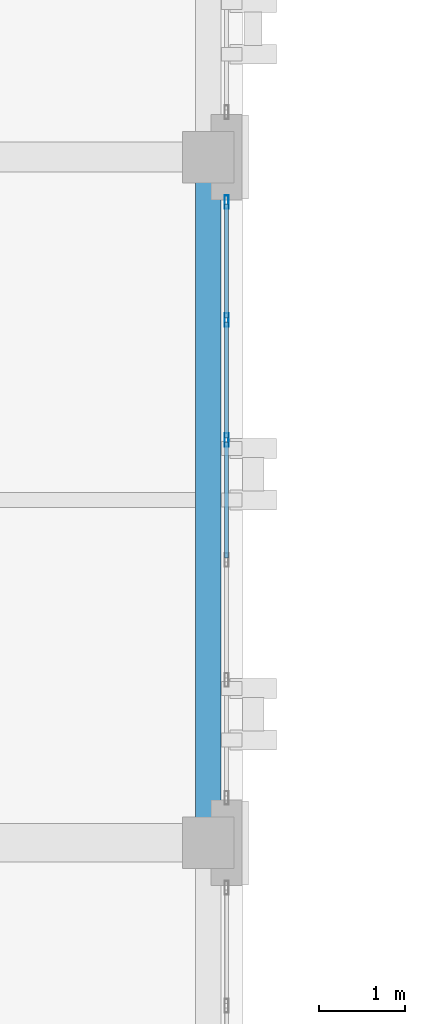
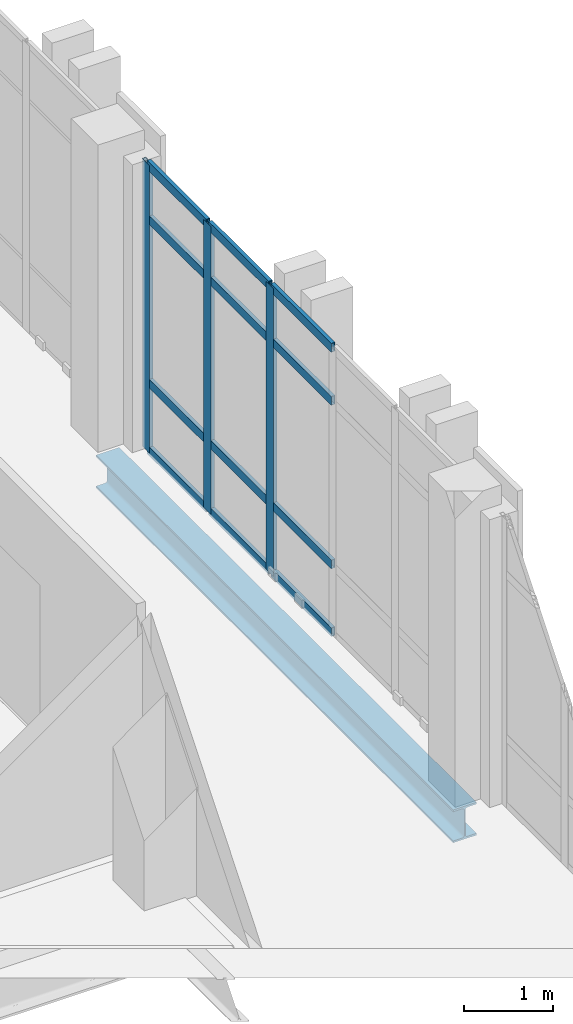
# One storey, part 16 of 77: 15 members, 1 beam, 1 element without a shape of its own.
"""IFC4 building model written with IfcOpenShell, lengths in metres."""

from ifc_helpers import new_model, si_unit, direction, frame, origin, origin_2d, place, context, subcontext, project, spatial, hollow_rectangle, i_section, extrude, material, layer, layer_set, material_profile, profile_set, type_object, element, aggregate, save


model = new_model("IFC4")

# Units and contexts
model_context = context("Model", 3, precision=1e-05, world=origin(), true_north=direction((0.0, 1.0)))
body_context = subcontext(model_context, "Body", "Model", "MODEL_VIEW")
ifc_project = project(units=[si_unit("LENGTHUNIT", "METRE"), si_unit("AREAUNIT", "SQUARE_METRE"), si_unit("VOLUMEUNIT", "CUBIC_METRE"), si_unit("PLANEANGLEUNIT", "RADIAN"), si_unit("MASSUNIT", "GRAM", prefix="KILO")], contexts=[model_context])

# Site, building, storey
site_placement = place(None, origin())
site = spatial("IfcSite", under=ifc_project, at=site_placement, CompositionType="ELEMENT")
building_placement = place(site_placement, origin())
building = spatial("IfcBuilding", under=site, at=building_placement, Name="Qalavern Law Courts", CompositionType="ELEMENT")
storey_placement = place(building_placement, frame((0.0, 0.0, 27.0)))
storey = spatial("IfcBuildingStorey", under=building, at=storey_placement, Name="L06", CompositionType="ELEMENT", Elevation=27.0)

# Curtain wall, members
ifc_material_1 = material(Name="Anodised aluminium and insulated glazing", Category="aluminium")
ifc_layer = layer(ifc_material_1, 0.159912109375)
ifc_layer_set = layer_set([ifc_layer], Name="Anodised aluminium and insulated glazing")
curtain_wall_type = type_object("IfcCurtainWallType", Name="ENV-CW-CHAMB", PredefinedType="USERDEFINED", material=ifc_layer_set)
curtain_wall_placement = place(storey_placement, origin())
curtain_wall = element("IfcCurtainWall", 1, at=curtain_wall_placement, inside=storey, type_object=curtain_wall_type, Name="V3 unitised curtain wall L06 east 4", ObjectType="UNITISED CURTAIN WALL", PredefinedType="USERDEFINED")
ifc_material_2 = material(Name="Anodised aluminium", Category="aluminium")
ifc_material_profile_1 = material_profile(ifc_material_2, hollow_rectangle(XDim=0.048095703125, YDim=0.159912109375, WallThickness=0.00390625, at=origin_2d()), Name="ALU MULLION 48x160")
ifc_profile_set_1 = profile_set([ifc_material_profile_1], Name="Anodised aluminium")
member_type_1 = type_object("IfcMemberType", Name="ENV-CWM-48x160", PredefinedType="MULLION", material=ifc_profile_set_1)
member_1_placement = place(storey_placement, frame((18.614990234375, 70.10009765625, 0.0), z_axis=(0.0, 0.0, 1.0), x_axis=(-1.0, 0.0, 0.0)))
member_1 = element("IfcMember", 2, at=member_1_placement, type_object=member_type_1, Name="CW-04 mullion 4", PredefinedType="MULLION", context=body_context, shape_type="SweptSolid", body=[
    extrude(hollow_rectangle(XDim=0.048095703125, YDim=0.159912109375, WallThickness=0.00390625, at=origin_2d()), origin(), (0.0, 0.0, 1.0), 3.93505859375),
])
member_2_placement = place(storey_placement, frame((18.614990234375, 71.5, 0.0), z_axis=(0.0, 0.0, 1.0), x_axis=(-1.0, 0.0, 0.0)))
member_2 = element("IfcMember", 3, at=member_2_placement, type_object=member_type_1, Name="CW-04 mullion 5", PredefinedType="MULLION", context=body_context, shape_type="SweptSolid", body=[
    extrude(hollow_rectangle(XDim=0.048095703125, YDim=0.159912109375, WallThickness=0.00390625, at=origin_2d()), origin(), (0.0, 0.0, 1.0), 3.93505859375),
])
member_3_placement = place(storey_placement, frame((18.614990234375, 72.8759765625, 0.0), z_axis=(0.0, 0.0, 1.0), x_axis=(-1.0, 0.0, 0.0)))
member_3 = element("IfcMember", 4, at=member_3_placement, type_object=member_type_1, Name="CW-04 mullion 6", PredefinedType="MULLION", context=body_context, shape_type="SweptSolid", body=[
    extrude(hollow_rectangle(XDim=0.048095703125, YDim=0.159912109375, WallThickness=0.00390625, at=origin_2d()), origin(), (0.0, 0.0, 1.0), 3.93505859375),
])
ifc_material_profile_2 = material_profile(ifc_material_2, hollow_rectangle(XDim=0.048095703125, YDim=0.1201171875, WallThickness=0.00390625, at=origin_2d()), Name="ALU TRANSOM 48x120")
ifc_profile_set_2 = profile_set([ifc_material_profile_2], Name="Anodised aluminium")
member_type_2 = type_object("IfcMemberType", Name="ENV-CWT-48x120", PredefinedType="USERDEFINED", material=ifc_profile_set_2)
member_4_placement = place(storey_placement, frame((18.614990234375, 68.72412109375, 0.02392578125), z_axis=(0.0, 1.0, 0.0), x_axis=(-1.0, 0.0, 0.0)))
member_4 = element("IfcMember", 5, at=member_4_placement, type_object=member_type_2, Name="CW-04 transom 3.1", ObjectType="TRANSOM", PredefinedType="USERDEFINED", context=body_context, shape_type="SweptSolid", body=[
    extrude(hollow_rectangle(XDim=0.048095703125, YDim=0.1201171875, WallThickness=0.00390625, at=origin_2d()), origin(), (0.0, 0.0, 1.0), 1.351806640625),
])
member_5_placement = place(storey_placement, frame((18.614990234375, 68.72412109375, 0.949951171875), z_axis=(0.0, 1.0, 0.0), x_axis=(-1.0, 0.0, 0.0)))
member_5 = element("IfcMember", 6, at=member_5_placement, type_object=member_type_2, Name="CW-04 transom 3.2", ObjectType="TRANSOM", PredefinedType="USERDEFINED", context=body_context, shape_type="SweptSolid", body=[
    extrude(hollow_rectangle(XDim=0.048095703125, YDim=0.1201171875, WallThickness=0.00390625, at=origin_2d()), origin(), (0.0, 0.0, 1.0), 1.351806640625),
])
member_6_placement = place(storey_placement, frame((18.614990234375, 68.72412109375, 3.18505859375), z_axis=(0.0, 1.0, 0.0), x_axis=(-1.0, 0.0, 0.0)))
member_6 = element("IfcMember", 7, at=member_6_placement, type_object=member_type_2, Name="CW-04 transom 3.3", ObjectType="TRANSOM", PredefinedType="USERDEFINED", context=body_context, shape_type="SweptSolid", body=[
    extrude(hollow_rectangle(XDim=0.048095703125, YDim=0.1201171875, WallThickness=0.00390625, at=origin_2d()), origin(), (0.0, 0.0, 1.0), 1.351806640625),
])
member_7_placement = place(storey_placement, frame((18.614990234375, 68.72412109375, 3.910888671875), z_axis=(0.0, 1.0, 0.0), x_axis=(-1.0, 0.0, 0.0)))
member_7 = element("IfcMember", 8, at=member_7_placement, type_object=member_type_2, Name="CW-04 transom 3.4", ObjectType="TRANSOM", PredefinedType="USERDEFINED", context=body_context, shape_type="SweptSolid", body=[
    extrude(hollow_rectangle(XDim=0.048095703125, YDim=0.1201171875, WallThickness=0.00390625, at=origin_2d()), origin(), (0.0, 0.0, 1.0), 1.351806640625),
])
member_8_placement = place(storey_placement, frame((18.614990234375, 70.1240234375, 0.02392578125), z_axis=(0.0, 1.0, 0.0), x_axis=(-1.0, 0.0, 0.0)))
member_8 = element("IfcMember", 9, at=member_8_placement, type_object=member_type_2, Name="CW-04 transom 4.1", ObjectType="TRANSOM", PredefinedType="USERDEFINED", context=body_context, shape_type="SweptSolid", body=[
    extrude(hollow_rectangle(XDim=0.048095703125, YDim=0.1201171875, WallThickness=0.00390625, at=origin_2d()), origin(), (0.0, 0.0, 1.0), 1.35205078125),
])
member_9_placement = place(storey_placement, frame((18.614990234375, 70.1240234375, 0.949951171875), z_axis=(0.0, 1.0, 0.0), x_axis=(-1.0, 0.0, 0.0)))
member_9 = element("IfcMember", 10, at=member_9_placement, type_object=member_type_2, Name="CW-04 transom 4.2", ObjectType="TRANSOM", PredefinedType="USERDEFINED", context=body_context, shape_type="SweptSolid", body=[
    extrude(hollow_rectangle(XDim=0.048095703125, YDim=0.1201171875, WallThickness=0.00390625, at=origin_2d()), origin(), (0.0, 0.0, 1.0), 1.35205078125),
])
member_10_placement = place(storey_placement, frame((18.614990234375, 70.1240234375, 3.18505859375), z_axis=(0.0, 1.0, 0.0), x_axis=(-1.0, 0.0, 0.0)))
member_10 = element("IfcMember", 11, at=member_10_placement, type_object=member_type_2, Name="CW-04 transom 4.3", ObjectType="TRANSOM", PredefinedType="USERDEFINED", context=body_context, shape_type="SweptSolid", body=[
    extrude(hollow_rectangle(XDim=0.048095703125, YDim=0.1201171875, WallThickness=0.00390625, at=origin_2d()), origin(), (0.0, 0.0, 1.0), 1.35205078125),
])
member_11_placement = place(storey_placement, frame((18.614990234375, 70.1240234375, 3.910888671875), z_axis=(0.0, 1.0, 0.0), x_axis=(-1.0, 0.0, 0.0)))
member_11 = element("IfcMember", 12, at=member_11_placement, type_object=member_type_2, Name="CW-04 transom 4.4", ObjectType="TRANSOM", PredefinedType="USERDEFINED", context=body_context, shape_type="SweptSolid", body=[
    extrude(hollow_rectangle(XDim=0.048095703125, YDim=0.1201171875, WallThickness=0.00390625, at=origin_2d()), origin(), (0.0, 0.0, 1.0), 1.35205078125),
])
member_12_placement = place(storey_placement, frame((18.614990234375, 71.52392578125, 0.02392578125), z_axis=(0.0, 1.0, 0.0), x_axis=(-1.0, 0.0, 0.0)))
member_12 = element("IfcMember", 13, at=member_12_placement, type_object=member_type_2, Name="CW-04 transom 5.1", ObjectType="TRANSOM", PredefinedType="USERDEFINED", context=body_context, shape_type="SweptSolid", body=[
    extrude(hollow_rectangle(XDim=0.048095703125, YDim=0.1201171875, WallThickness=0.00390625, at=origin_2d()), origin(), (0.0, 0.0, 1.0), 1.328125),
])
member_13_placement = place(storey_placement, frame((18.614990234375, 71.52392578125, 0.949951171875), z_axis=(0.0, 1.0, 0.0), x_axis=(-1.0, 0.0, 0.0)))
member_13 = element("IfcMember", 14, at=member_13_placement, type_object=member_type_2, Name="CW-04 transom 5.2", ObjectType="TRANSOM", PredefinedType="USERDEFINED", context=body_context, shape_type="SweptSolid", body=[
    extrude(hollow_rectangle(XDim=0.048095703125, YDim=0.1201171875, WallThickness=0.00390625, at=origin_2d()), origin(), (0.0, 0.0, 1.0), 1.328125),
])
member_14_placement = place(storey_placement, frame((18.614990234375, 71.52392578125, 3.18505859375), z_axis=(0.0, 1.0, 0.0), x_axis=(-1.0, 0.0, 0.0)))
member_14 = element("IfcMember", 15, at=member_14_placement, type_object=member_type_2, Name="CW-04 transom 5.3", ObjectType="TRANSOM", PredefinedType="USERDEFINED", context=body_context, shape_type="SweptSolid", body=[
    extrude(hollow_rectangle(XDim=0.048095703125, YDim=0.1201171875, WallThickness=0.00390625, at=origin_2d()), origin(), (0.0, 0.0, 1.0), 1.328125),
])
member_15_placement = place(storey_placement, frame((18.614990234375, 71.52392578125, 3.910888671875), z_axis=(0.0, 1.0, 0.0), x_axis=(-1.0, 0.0, 0.0)))
member_15 = element("IfcMember", 16, at=member_15_placement, type_object=member_type_2, Name="CW-04 transom 5.4", ObjectType="TRANSOM", PredefinedType="USERDEFINED", context=body_context, shape_type="SweptSolid", body=[
    extrude(hollow_rectangle(XDim=0.048095703125, YDim=0.1201171875, WallThickness=0.00390625, at=origin_2d()), origin(), (0.0, 0.0, 1.0), 1.328125),
])
aggregate(curtain_wall, [member_1, member_2, member_3, member_4, member_5, member_6, member_7, member_8, member_9, member_10, member_11, member_12, member_13, member_14, member_15])

# Beam
ifc_material_3 = material(Name="Steel S355", Category="steel")
ifc_material_profile_3 = material_profile(ifc_material_3, i_section(OverallWidth=0.300048828125, OverallDepth=0.449951171875, WebThickness=0.013916015625, FlangeThickness=0.02587890625, FilletRadius=0.027099609375, at=origin_2d()), Name="HEB 450")
ifc_profile_set_3 = profile_set([ifc_material_profile_3], Name="Steel S355")
beam_type = type_object("IfcBeamType", Name="STR-SP-HEB450", PredefinedType="SPANDREL", material=ifc_profile_set_3)
beam_placement = place(storey_placement, frame((18.39990234375, 65.39990234375, -0.4951171875), z_axis=(0.0, 1.0, 0.0), x_axis=(-1.0, 0.0, 0.0)))
element("IfcBeam", 17, at=beam_placement, inside=storey, type_object=beam_type, Name="V3 Y-beam 3-4 L06", PredefinedType="SPANDREL", context=body_context, shape_type="SweptSolid", body=[
    extrude(i_section(OverallWidth=0.300048828125, OverallDepth=0.449951171875, WebThickness=0.013916015625, FlangeThickness=0.02587890625, FilletRadius=0.027099609375, at=origin_2d()), origin(), (0.0, 0.0, 1.0), 8.0),
])

save(model, "model.ifc")
